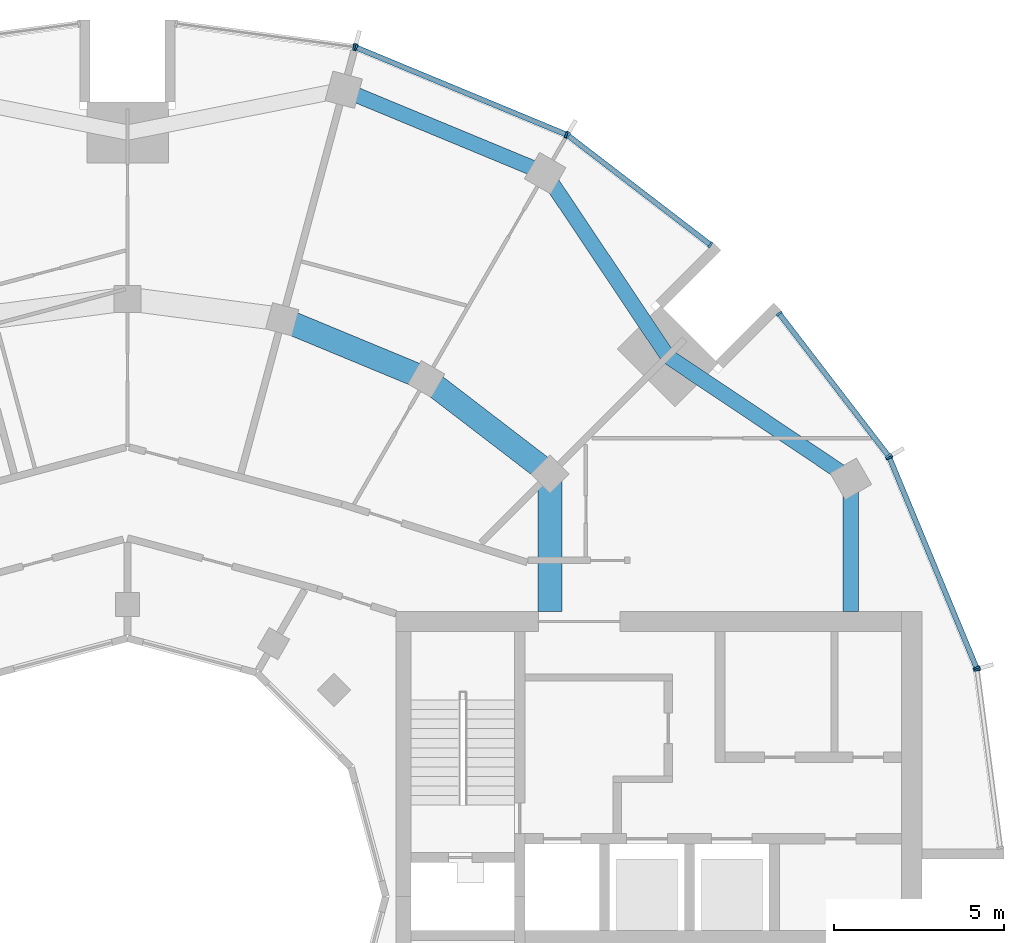
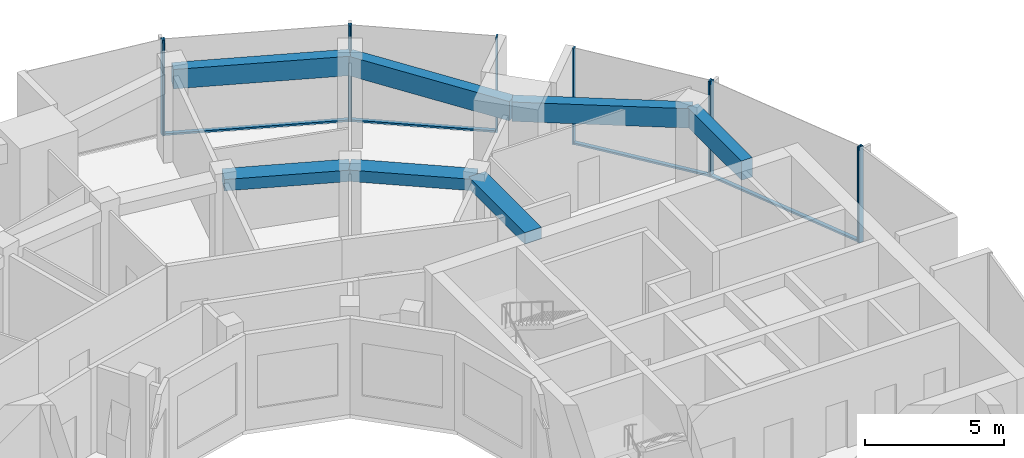
# One storey, part 6 of 15: 14 members, 7 beams, 6 elements without a shape of their own.
"""IFC4 building model written with IfcOpenShell, lengths in metres."""

from ifc_helpers import new_model, si_unit, direction, frame, origin, origin_2d, place, context, subcontext, project, spatial, rectangle, extrude, material, layer, layer_set, material_profile, profile_set, type_object, element, aggregate, save


model = new_model("IFC4")

# Units and contexts
model_context = context("Model", 3, precision=1e-05, world=origin(), true_north=direction((0.0, 1.0)))
body_context = subcontext(model_context, "Body", "Model", "MODEL_VIEW")
ifc_project = project(units=[si_unit("LENGTHUNIT", "METRE"), si_unit("AREAUNIT", "SQUARE_METRE"), si_unit("VOLUMEUNIT", "CUBIC_METRE"), si_unit("PLANEANGLEUNIT", "RADIAN"), si_unit("MASSUNIT", "GRAM", prefix="KILO")], contexts=[model_context])

# Site, building, storey
site_placement = place(None, origin())
site = spatial("IfcSite", under=ifc_project, at=site_placement, CompositionType="ELEMENT")
building_placement = place(site_placement, origin())
building = spatial("IfcBuilding", under=site, at=building_placement, Name="Torre Brocal", CompositionType="ELEMENT")
storey_placement = place(building_placement, frame((0.0, 0.0, 220.89990234375)))
storey = spatial("IfcBuildingStorey", under=building, at=storey_placement, Name="L51", CompositionType="ELEMENT", Elevation=220.89990234375)

# Curtain wall, members
ifc_material_1 = material(Name="Aluminium and glass", Category="aluminium")
ifc_layer_1 = layer(ifc_material_1, 0.199951171875)
ifc_layer_set_1 = layer_set([ifc_layer_1], Name="Aluminium and glass")
curtain_wall_type_1 = type_object("IfcCurtainWallType", Name="CW-1 CURTAIN WALL 4200 HIGH", PredefinedType="NOTDEFINED", material=ifc_layer_set_1)
curtain_wall_1_placement = place(storey_placement, origin())
curtain_wall_1 = element("IfcCurtainWall", 1, at=curtain_wall_1_placement, inside=storey, type_object=curtain_wall_type_1, Name="CW-1 RUN 2", PredefinedType="NOTDEFINED")
ifc_material_2 = material(Name="Aluminium, dark anodised", Category="aluminium")
ifc_material_profile_1 = material_profile(ifc_material_2, rectangle(XDim=0.199951171875, YDim=0.06005859375, at=origin_2d()), Name="CW-1 MULLION 60X200")
ifc_profile_set_1 = profile_set([ifc_material_profile_1], Name="Aluminium, dark anodised")
member_type_1 = type_object("IfcMemberType", Name="CW-1 MULLION 60X200", PredefinedType="MULLION", material=ifc_profile_set_1)
member_1_placement = place(storey_placement, frame((105.005126953125, 81.73095703125, 0.0), z_axis=(0.0, 0.0, 1.0), x_axis=(-0.923879532525, -0.382683432333, 0.0)))
member_1 = element("IfcMember", 2, at=member_1_placement, type_object=member_type_1, Name="CW1-5 mullion 1", PredefinedType="MULLION", context=body_context, shape_type="SweptSolid", body=[
    extrude(rectangle(XDim=0.199951171875, YDim=0.06005859375, at=origin_2d()), origin(), (0.0, 0.0, 1.0), 4.2001953125),
])
member_2_placement = place(storey_placement, frame((102.440673828125, 87.921875, 0.0), z_axis=(0.0, 0.0, 1.0), x_axis=(-0.923879532525, -0.382683432333, 0.0)))
member_2 = element("IfcMember", 3, at=member_2_placement, type_object=member_type_1, Name="CW1-5 mullion 2", PredefinedType="MULLION", context=body_context, shape_type="SweptSolid", body=[
    extrude(rectangle(XDim=0.199951171875, YDim=0.06005859375, at=origin_2d()), origin(), (0.0, 0.0, 1.0), 4.2001953125),
])

curtain_wall_2_placement = place(storey_placement, origin())
curtain_wall_2 = element("IfcCurtainWall", 4, at=curtain_wall_2_placement, inside=storey, type_object=curtain_wall_type_1, Name="CW-1 RUN 3", PredefinedType="NOTDEFINED")
member_3_placement = place(storey_placement, frame((102.4111328125, 87.973388671875, 0.0), z_axis=(0.0, 0.0, 1.0), x_axis=(-0.793353340259, -0.60876142905, 0.0)))
member_3 = element("IfcMember", 5, at=member_3_placement, type_object=member_type_1, Name="CW1-5 mullion 1", PredefinedType="MULLION", context=body_context, shape_type="SweptSolid", body=[
    extrude(rectangle(XDim=0.199951171875, YDim=0.06005859375, at=origin_2d()), origin(), (0.0, 0.0, 1.0), 4.2001953125),
])
member_4_placement = place(storey_placement, frame((99.19140625, 92.16943359375, 0.0), z_axis=(0.0, 0.0, 1.0), x_axis=(-0.793353340259, -0.60876142905, 0.0)))
member_4 = element("IfcMember", 6, at=member_4_placement, type_object=member_type_1, Name="CW1-5 mullion 2", PredefinedType="MULLION", context=body_context, shape_type="SweptSolid", body=[
    extrude(rectangle(XDim=0.199951171875, YDim=0.06005859375, at=origin_2d()), origin(), (0.0, 0.0, 1.0), 4.2001953125),
])

curtain_wall_3_placement = place(storey_placement, origin())
curtain_wall_3 = element("IfcCurtainWall", 7, at=curtain_wall_3_placement, inside=storey, type_object=curtain_wall_type_1, Name="CW-1 RUN 4", PredefinedType="NOTDEFINED")
member_5_placement = place(storey_placement, frame((97.16943359375, 94.19140625, 0.0), z_axis=(0.0, 0.0, 1.0), x_axis=(-0.60876142905, -0.793353340259, 0.0)))
member_5 = element("IfcMember", 8, at=member_5_placement, type_object=member_type_1, Name="CW1-5 mullion 1", PredefinedType="MULLION", context=body_context, shape_type="SweptSolid", body=[
    extrude(rectangle(XDim=0.199951171875, YDim=0.06005859375, at=origin_2d()), origin(), (0.0, 0.0, 1.0), 4.2001953125),
])
member_6_placement = place(storey_placement, frame((92.973388671875, 97.4111328125, 0.0), z_axis=(0.0, 0.0, 1.0), x_axis=(-0.60876142905, -0.793353340259, 0.0)))
member_6 = element("IfcMember", 9, at=member_6_placement, type_object=member_type_1, Name="CW1-5 mullion 2", PredefinedType="MULLION", context=body_context, shape_type="SweptSolid", body=[
    extrude(rectangle(XDim=0.199951171875, YDim=0.06005859375, at=origin_2d()), origin(), (0.0, 0.0, 1.0), 4.2001953125),
])

curtain_wall_4_placement = place(storey_placement, origin())
curtain_wall_4 = element("IfcCurtainWall", 10, at=curtain_wall_4_placement, inside=storey, type_object=curtain_wall_type_1, Name="CW-1 RUN 5", PredefinedType="NOTDEFINED")
member_7_placement = place(storey_placement, frame((92.921875, 97.440673828125, 0.0), z_axis=(0.0, 0.0, 1.0), x_axis=(-0.382683432333, -0.923879532525, 0.0)))
member_7 = element("IfcMember", 11, at=member_7_placement, type_object=member_type_1, Name="CW1-5 mullion 1", PredefinedType="MULLION", context=body_context, shape_type="SweptSolid", body=[
    extrude(rectangle(XDim=0.199951171875, YDim=0.06005859375, at=origin_2d()), origin(), (0.0, 0.0, 1.0), 4.2001953125),
])
member_8_placement = place(storey_placement, frame((86.73095703125, 100.005126953125, 0.0), z_axis=(0.0, 0.0, 1.0), x_axis=(-0.382683432333, -0.923879532525, 0.0)))
member_8 = element("IfcMember", 12, at=member_8_placement, type_object=member_type_1, Name="CW1-5 mullion 2", PredefinedType="MULLION", context=body_context, shape_type="SweptSolid", body=[
    extrude(rectangle(XDim=0.199951171875, YDim=0.06005859375, at=origin_2d()), origin(), (0.0, 0.0, 1.0), 4.2001953125),
])

# Curtain wall, member
curtain_wall_5_placement = place(storey_placement, origin())
curtain_wall_5 = element("IfcCurtainWall", 13, at=curtain_wall_5_placement, inside=storey, type_object=curtain_wall_type_1, Name="CW-1 RUN 6", PredefinedType="NOTDEFINED")
member_9_placement = place(storey_placement, frame((86.67333984375, 100.0205078125, 0.0), z_axis=(0.0, 0.0, 1.0), x_axis=(-0.13052619222, -0.991444861374, 0.0)))
member_9 = element("IfcMember", 14, at=member_9_placement, type_object=member_type_1, Name="CW1-5 mullion 1", PredefinedType="MULLION", context=body_context, shape_type="SweptSolid", body=[
    extrude(rectangle(XDim=0.199951171875, YDim=0.06005859375, at=origin_2d()), origin(), (0.0, 0.0, 1.0), 4.2001953125),
])
aggregate(curtain_wall_5, [member_9])

# Member
ifc_material_3 = material(Name="Aluminium, dark anodised", Category="aluminium")
ifc_material_profile_2 = material_profile(ifc_material_3, rectangle(XDim=0.159912109375, YDim=0.080078125, at=origin_2d()), Name="CW-1 TRANSOM 160X80")
ifc_profile_set_2 = profile_set([ifc_material_profile_2], Name="Aluminium, dark anodised")
member_type_2 = type_object("IfcMemberType", Name="CW-1 TRANSOM 160X80", PredefinedType="USERDEFINED", material=ifc_profile_set_2)
member_10_placement = place(storey_placement, frame((104.99365234375, 81.758544921875, 0.0400390625), z_axis=(-0.38266457234, 0.923887344364, 0.0), x_axis=(-0.923887344364, -0.38266457234, 0.0)))
member_10 = element("IfcMember", 15, at=member_10_placement, type_object=member_type_2, Name="CW1-5 transom 1.1", ObjectType="TRANSOM", PredefinedType="USERDEFINED", context=body_context, shape_type="SweptSolid", body=[
    extrude(rectangle(XDim=0.159912109375, YDim=0.080078125, at=origin_2d()), origin(), (0.0, 0.0, 1.0), 6.640869140625),
])

aggregate(curtain_wall_1, [member_1, member_2, member_10])

member_11_placement = place(storey_placement, frame((102.392822265625, 87.9970703125, 0.0400390625), z_axis=(-0.60874908096, 0.79336281513, 0.0), x_axis=(-0.79336281513, -0.60874908096, 0.0)))
member_11 = element("IfcMember", 16, at=member_11_placement, type_object=member_type_2, Name="CW1-5 transom 1.1", ObjectType="TRANSOM", PredefinedType="USERDEFINED", context=body_context, shape_type="SweptSolid", body=[
    extrude(rectangle(XDim=0.159912109375, YDim=0.080078125, at=origin_2d()), origin(), (0.0, 0.0, 1.0), 5.22900390625),
])

aggregate(curtain_wall_2, [member_3, member_4, member_11])

member_12_placement = place(storey_placement, frame((97.1455078125, 94.209716796875, 0.0400390625), z_axis=(-0.79336281513, 0.60874908096, 0.0), x_axis=(-0.60874908096, -0.79336281513, 0.0)))
member_12 = element("IfcMember", 17, at=member_12_placement, type_object=member_type_2, Name="CW1-5 transom 1.1", ObjectType="TRANSOM", PredefinedType="USERDEFINED", context=body_context, shape_type="SweptSolid", body=[
    extrude(rectangle(XDim=0.159912109375, YDim=0.080078125, at=origin_2d()), origin(), (0.0, 0.0, 1.0), 5.22900390625),
])

aggregate(curtain_wall_3, [member_5, member_6, member_12])

member_13_placement = place(storey_placement, frame((92.89404296875, 97.452392578125, 0.0400390625), z_axis=(-0.923887344364, 0.38266457234, 0.0), x_axis=(-0.38266457234, -0.923887344364, 0.0)))
member_13 = element("IfcMember", 18, at=member_13_placement, type_object=member_type_2, Name="CW1-5 transom 1.1", ObjectType="TRANSOM", PredefinedType="USERDEFINED", context=body_context, shape_type="SweptSolid", body=[
    extrude(rectangle(XDim=0.159912109375, YDim=0.080078125, at=origin_2d()), origin(), (0.0, 0.0, 1.0), 6.640869140625),
])

aggregate(curtain_wall_4, [member_7, member_8, member_13])

# Curtain wall, member
ifc_material_4 = material(Name="Aluminium and glass", Category="aluminium")
ifc_layer_2 = layer(ifc_material_4, 0.199951171875)
ifc_layer_set_2 = layer_set([ifc_layer_2], Name="Aluminium and glass")
curtain_wall_type_2 = type_object("IfcCurtainWallType", Name="CW-1B CURTAIN WALL 4200 HIGH", PredefinedType="NOTDEFINED", material=ifc_layer_set_2)
curtain_wall_6_placement = place(storey_placement, origin())
curtain_wall_6 = element("IfcCurtainWall", 19, at=curtain_wall_6_placement, inside=storey, type_object=curtain_wall_type_2, Name="CW-1B RUN 1", PredefinedType="NOTDEFINED")
ifc_material_5 = material(Name="Aluminium, dark anodised", Category="aluminium")
ifc_material_profile_3 = material_profile(ifc_material_5, rectangle(XDim=0.199951171875, YDim=0.06005859375, at=origin_2d()), Name="CW-1B MULLION 60X200")
ifc_profile_set_3 = profile_set([ifc_material_profile_3], Name="Aluminium, dark anodised")
member_type_3 = type_object("IfcMemberType", Name="CW-1B MULLION 60X200", PredefinedType="MULLION", material=ifc_profile_set_3)
member_14_placement = place(storey_placement, frame((105.0205078125, 81.67333984375, 0.0), z_axis=(0.0, 0.0, 1.0), x_axis=(-0.991444861374, -0.13052619222, 0.0)))
member_14 = element("IfcMember", 20, at=member_14_placement, type_object=member_type_3, Name="CW1B-5 mullion 2", PredefinedType="MULLION", context=body_context, shape_type="SweptSolid", body=[
    extrude(rectangle(XDim=0.199951171875, YDim=0.06005859375, at=origin_2d()), origin(), (0.0, 0.0, 1.0), 4.2001953125),
])
aggregate(curtain_wall_6, [member_14])

# Beams
ifc_material_6 = material(Name="Concrete C50", Category="concrete")
ifc_material_profile_4 = material_profile(ifc_material_6, rectangle(XDim=0.699951171875, YDim=0.5, at=origin_2d()), Name="RC 700X500")
ifc_profile_set_4 = profile_set([ifc_material_profile_4], Name="Concrete C50")
beam_type_1 = type_object("IfcBeamType", Name="RC BEAM 700X500 C50 TOP 3880", PredefinedType="BEAM", material=ifc_profile_set_4)
beam_1_placement = place(storey_placement, frame((92.445068359375, 87.445068359375, 3.630126953125), z_axis=(-0.793358265959, 0.6087550097, 0.0), x_axis=(-0.6087550097, -0.793358265959, 0.0)))
element("IfcBeam", 21, at=beam_1_placement, inside=storey, type_object=beam_type_1, Name="Beam BT-37", PredefinedType="BEAM", context=body_context, shape_type="SweptSolid", body=[
    extrude(rectangle(XDim=0.699951171875, YDim=0.5, at=origin_2d()), origin(), (0.0, 0.0, 1.0), 4.594482421875),
])
beam_2_placement = place(storey_placement, frame((88.800048828125, 90.241943359375, 3.630126953125), z_axis=(-0.923878240166, 0.382686552348, 0.0), x_axis=(-0.382686552348, -0.923878240166, 0.0)))
element("IfcBeam", 22, at=beam_2_placement, inside=storey, type_object=beam_type_1, Name="Beam BT-37", PredefinedType="BEAM", context=body_context, shape_type="SweptSolid", body=[
    extrude(rectangle(XDim=0.699951171875, YDim=0.5, at=origin_2d()), origin(), (0.0, 0.0, 1.0), 4.5947265625),
])
beam_3_placement = place(storey_placement, frame((92.445068359375, 87.445068359375, 3.630126953125), z_axis=(0.0, -1.0, 0.0), x_axis=(1.0, 0.0, 0.0)))
element("IfcBeam", 23, at=beam_3_placement, inside=storey, type_object=beam_type_1, Name="Beam BT-37", PredefinedType="BEAM", context=body_context, shape_type="SweptSolid", body=[
    extrude(rectangle(XDim=0.699951171875, YDim=0.5, at=origin_2d()), origin(), (0.0, 0.0, 1.0), 4.045166015625),
])
ifc_material_7 = material(Name="Concrete C50", Category="concrete")
ifc_material_profile_5 = material_profile(ifc_material_7, rectangle(XDim=0.449951171875, YDim=0.85009765625, at=origin_2d()), Name="RC 450X850")
ifc_profile_set_5 = profile_set([ifc_material_profile_5], Name="Concrete C50")
beam_type_2 = type_object("IfcBeamType", Name="RC SPANDREL BEAM 450X850 C50 TOP 3880", PredefinedType="SPANDREL", material=ifc_profile_set_5)
for number, where, z_axis, x_axis, name in (
    (24, (101.30419921875, 87.300048828125, 3.455078125), (-0.831076844476, 0.556157602282, 0.0), (-0.556157602282, -0.831076844476, 0.0), "Beam BT-38"),
    (25, (95.909912109375, 90.909912109375, 3.455078125), (-0.556157602282, 0.831076844476, 0.0), (-0.831076844476, -0.556157602282, 0.0), "Beam BT-38"),
):
    element("IfcBeam", number, at=place(storey_placement, frame(where, z_axis=z_axis, x_axis=x_axis)), inside=storey, type_object=beam_type_2, Name=name, PredefinedType="SPANDREL", context=body_context, shape_type="SweptSolid", body=[
        extrude(rectangle(XDim=0.449951171875, YDim=0.85009765625, at=origin_2d()), origin(), (0.0, 0.0, 1.0), 6.49072265625),
    ])
beam_4_placement = place(storey_placement, frame((92.300048828125, 96.30419921875, 3.455078125), z_axis=(-0.923882462513, 0.382676358639, 0.0), x_axis=(-0.382676358639, -0.923882462513, 0.0)))
element("IfcBeam", 26, at=beam_4_placement, inside=storey, type_object=beam_type_2, Name="Beam BT-38", PredefinedType="SPANDREL", context=body_context, shape_type="SweptSolid", body=[
    extrude(rectangle(XDim=0.449951171875, YDim=0.85009765625, at=origin_2d()), origin(), (0.0, 0.0, 1.0), 6.421875),
])
beam_5_placement = place(storey_placement, frame((101.30419921875, 87.300048828125, 3.455078125), z_axis=(0.0, -1.0, 0.0), x_axis=(1.0, 0.0, 0.0)))
element("IfcBeam", 27, at=beam_5_placement, inside=storey, type_object=beam_type_2, Name="Beam BT-38", PredefinedType="SPANDREL", context=body_context, shape_type="SweptSolid", body=[
    extrude(rectangle(XDim=0.449951171875, YDim=0.85009765625, at=origin_2d()), origin(), (0.0, 0.0, 1.0), 3.900146484375),
])

save(model, "model.ifc")
